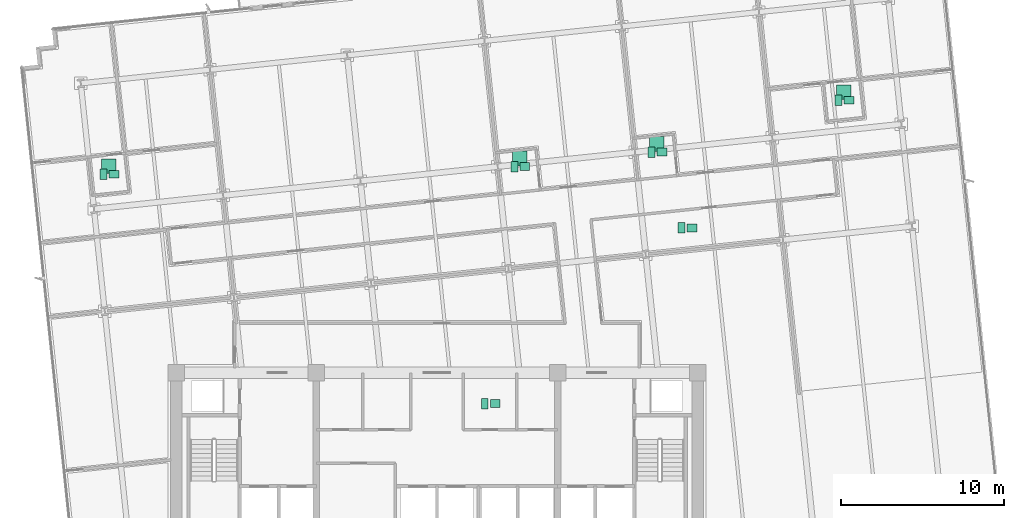
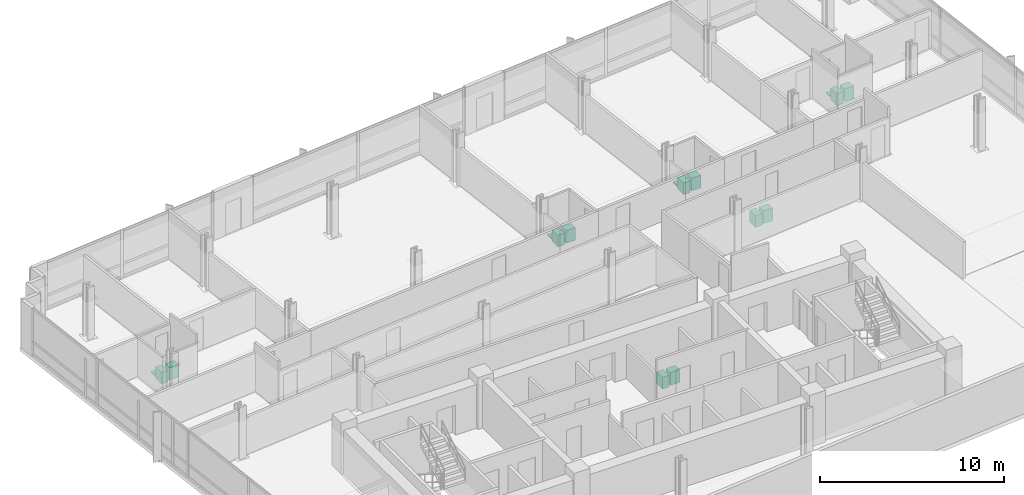
# One storey, part 18 of 18: 16 sanitary terminals.
"""IFC4 building model written with IfcOpenShell, lengths in metres."""

from ifc_helpers import new_model, si_unit, direction, frame, origin, origin_2d, place, context, subcontext, project, spatial, rectangle, extrude, material, type_object, element, save


model = new_model("IFC4")

# Units and contexts
model_context = context("Model", 3, precision=1e-05, world=origin(), true_north=direction((0.0, 1.0)))
body_context = subcontext(model_context, "Body", "Model", "MODEL_VIEW")
ifc_project = project(units=[si_unit("LENGTHUNIT", "METRE"), si_unit("AREAUNIT", "SQUARE_METRE"), si_unit("VOLUMEUNIT", "CUBIC_METRE"), si_unit("PLANEANGLEUNIT", "RADIAN"), si_unit("MASSUNIT", "GRAM", prefix="KILO")], contexts=[model_context])

# Site, building, storey
site_placement = place(None, origin())
site = spatial("IfcSite", under=ifc_project, at=site_placement, CompositionType="ELEMENT")
building_placement = place(site_placement, origin())
building = spatial("IfcBuilding", under=site, at=building_placement, Name="Solmavex Isthmus Hotel", CompositionType="ELEMENT")
storey_placement = place(building_placement, frame((0.0, 0.0, 123.60009765625)))
storey = spatial("IfcBuildingStorey", under=building, at=storey_placement, Name="L33", CompositionType="ELEMENT", Elevation=123.60009765625)

# Sanitary terminals
ifc_material = material(Name="Vitreous china ceramic", Category="ceramic")
sanitary_terminal_type_1 = type_object("IfcSanitaryTerminalType", Name="SAN-BASIN", PredefinedType="WASHHANDBASIN", material=ifc_material)
for number, where, z_axis, x_axis, name in (
    (1, (3.570068359375, -4.385009765625, -0.000244140625), (0.0, 0.0, 1.0), (1.0, 0.0, 0.0), "Vanity Washbasin L33-153"),
    (2, (-19.8203125, 9.68017578125, -0.000244140625), (0.0, 0.0, 1.0), (1.0, 0.0, 0.0), "Vanity Washbasin L33-154"),
    (3, (5.38623046875, 10.152099609375, -0.000244140625), (0.0, 0.0, 1.0), (1.0, 0.0, 0.0), "Vanity Washbasin L33-155"),
    (4, (13.805908203125, 11.036865234375, -0.000244140625), (0.0, 0.0, 1.0), (1.0, 0.0, 0.0), "Vanity Washbasin L33-156"),
    (5, (25.264404296875, 14.217529296875, -0.000244140625), (0.0, 0.0, 1.0), (1.0, 0.0, 0.0), "Vanity Washbasin L33-157"),
    (6, (15.6416015625, 6.38818359375, -0.000244140625), (0.0, 0.0, 1.0), (1.0, 0.0, 0.0), "Vanity Washbasin L33-158"),
):
    element("IfcSanitaryTerminal", number, at=place(storey_placement, frame(where, z_axis=z_axis, x_axis=x_axis)), inside=storey, type_object=sanitary_terminal_type_1, Name=name, PredefinedType="WASHHANDBASIN", context=body_context, shape_type="SweptSolid", body=[
        extrude(rectangle(XDim=0.60009765625, YDim=0.47998046875, at=origin_2d()), origin(), (0.0, 0.0, 1.0), 0.85009765625),
    ])
sanitary_terminal_type_2 = type_object("IfcSanitaryTerminalType", Name="SAN-SHOWER", PredefinedType="SHOWER", material=ifc_material)
for number, where, z_axis, x_axis, name in (
    (7, (-20.14013671875, 10.18017578125, -0.000244140625), (0.0, 0.0, 1.0), (1.0, 0.0, 0.0), "Walk-In Shower L33-154"),
    (8, (5.066162109375, 10.652099609375, -0.000244140625), (0.0, 0.0, 1.0), (1.0, 0.0, 0.0), "Walk-In Shower L33-155"),
    (9, (13.48583984375, 11.536865234375, -0.000244140625), (0.0, 0.0, 1.0), (1.0, 0.0, 0.0), "Walk-In Shower L33-156"),
    (10, (24.944580078125, 14.717529296875, -0.000244140625), (0.0, 0.0, 1.0), (1.0, 0.0, 0.0), "Walk-In Shower L33-157"),
):
    element("IfcSanitaryTerminal", number, at=place(storey_placement, frame(where, z_axis=z_axis, x_axis=x_axis)), inside=storey, type_object=sanitary_terminal_type_2, Name=name, PredefinedType="SHOWER", context=body_context, shape_type="SweptSolid", body=[
        extrude(rectangle(XDim=0.89990234375, YDim=0.89990234375, at=origin_2d()), origin(), (0.0, 0.0, 1.0), 0.080078125),
    ])
sanitary_terminal_type_3 = type_object("IfcSanitaryTerminalType", Name="SAN-WC-SUITE", PredefinedType="TOILETPAN", material=ifc_material)
for number, where, z_axis, x_axis, name in (
    (11, (2.929931640625, -4.385009765625, 0.0), (0.0, 0.0, 1.0), (1.0, 0.0, 0.0), "Water Closet L33-153"),
    (12, (-20.460205078125, 9.68017578125, 0.0), (0.0, 0.0, 1.0), (1.0, 0.0, 0.0), "Water Closet L33-154"),
    (13, (4.74609375, 10.152099609375, 0.0), (0.0, 0.0, 1.0), (1.0, 0.0, 0.0), "Water Closet L33-155"),
    (14, (13.165771484375, 11.036865234375, 0.0), (0.0, 0.0, 1.0), (1.0, 0.0, 0.0), "Water Closet L33-156"),
    (15, (24.62451171875, 14.217529296875, 0.0), (0.0, 0.0, 1.0), (1.0, 0.0, 0.0), "Water Closet L33-157"),
    (16, (15.001708984375, 6.38818359375, 0.0), (0.0, 0.0, 1.0), (1.0, 0.0, 0.0), "Water Closet L33-158"),
):
    element("IfcSanitaryTerminal", number, at=place(storey_placement, frame(where, z_axis=z_axis, x_axis=x_axis)), inside=storey, type_object=sanitary_terminal_type_3, Name=name, PredefinedType="TOILETPAN", context=body_context, shape_type="SweptSolid", body=[
        extrude(rectangle(XDim=0.419921875, YDim=0.64990234375, at=origin_2d()), origin(), (0.0, 0.0, 1.0), 0.780029296875),
    ])

save(model, "model.ifc")
